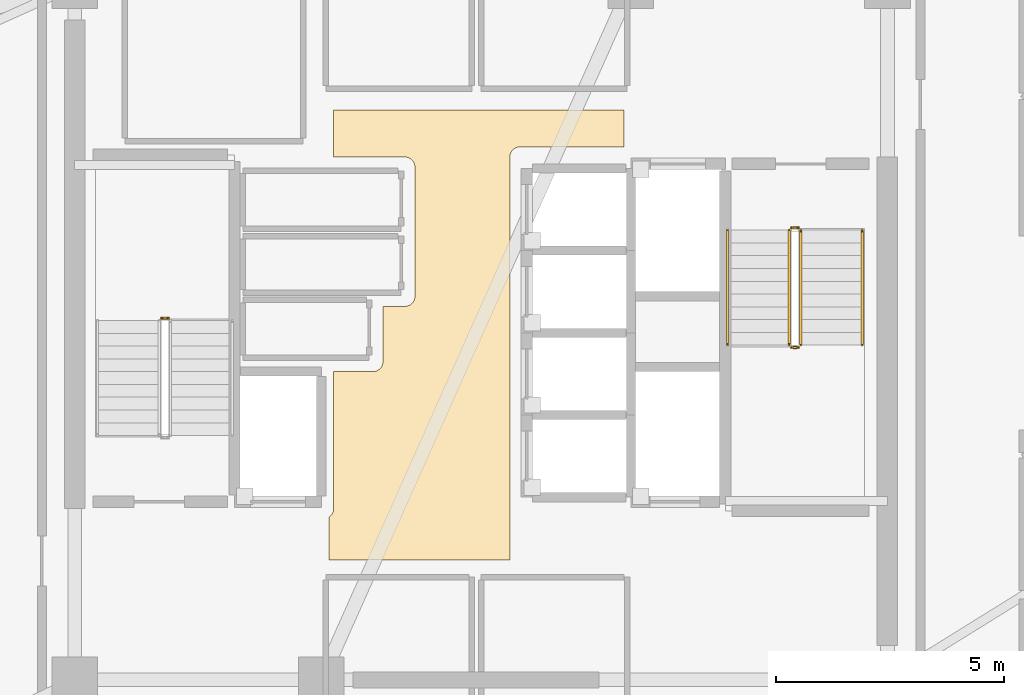
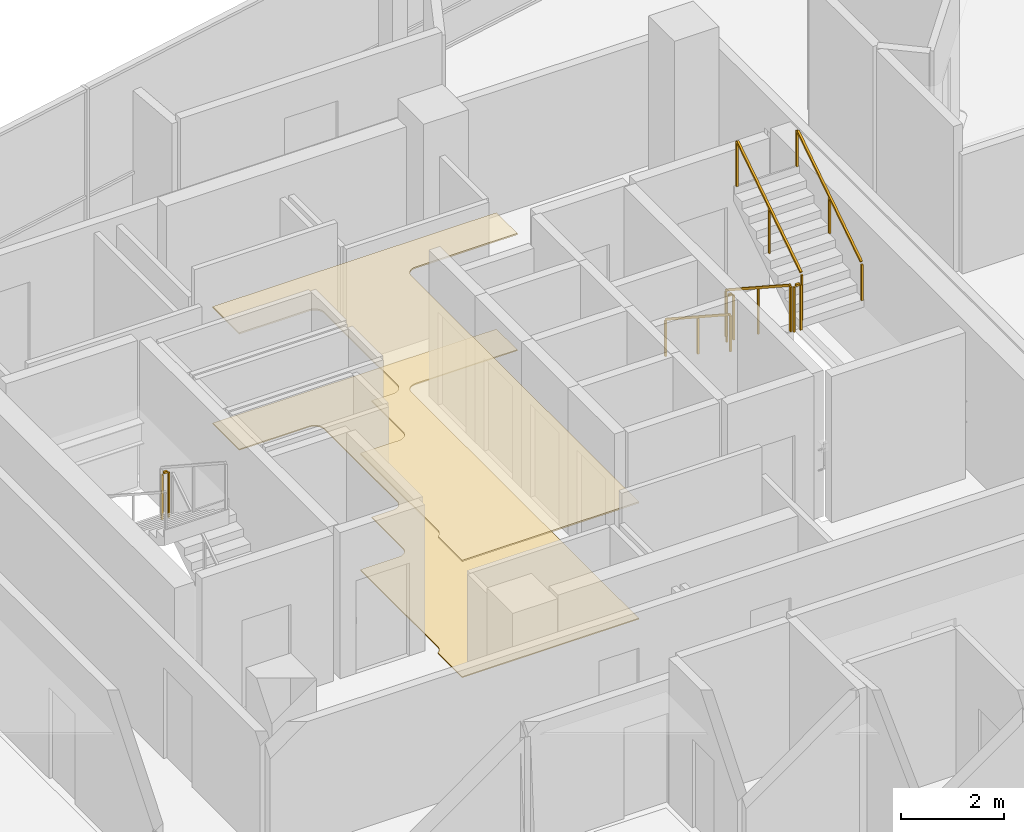
# One storey, part 17 of 18: 7 railings, 2 coverings.
"""IFC4 building model written with IfcOpenShell, lengths in metres."""

from ifc_helpers import new_model, si_unit, direction, frame, origin, origin_2d, place, context, subcontext, project, spatial, polyline, rectangle, outline, extrude, material, layer, layer_set, type_object, element, save


model = new_model("IFC4")

# Units and contexts
model_context = context("Model", 3, precision=1e-05, world=origin(), true_north=direction((0.0, 1.0)))
body_context = subcontext(model_context, "Body", "Model", "MODEL_VIEW")
ifc_project = project(units=[si_unit("LENGTHUNIT", "METRE"), si_unit("AREAUNIT", "SQUARE_METRE"), si_unit("VOLUMEUNIT", "CUBIC_METRE"), si_unit("PLANEANGLEUNIT", "RADIAN"), si_unit("MASSUNIT", "GRAM", prefix="KILO")], contexts=[model_context])

# Site, building, storey
site_placement = place(None, origin())
site = spatial("IfcSite", under=ifc_project, at=site_placement, CompositionType="ELEMENT")
building_placement = place(site_placement, origin())
building = spatial("IfcBuilding", under=site, at=building_placement, Name="Tharavind Bronze Gate", CompositionType="ELEMENT")
storey_placement = place(building_placement, frame((0.0, 0.0, 287.050048828125)))
storey = spatial("IfcBuildingStorey", under=building, at=storey_placement, Name="L74", CompositionType="ELEMENT", Elevation=287.050048828125)

# Coverings
ifc_material_1 = material(Name="Perforated Bronze Acoustic Panel", Category="bronze")
ifc_layer_1 = layer(ifc_material_1, 0.044921875)
ifc_layer_set_1 = layer_set([ifc_layer_1], Name="Perforated Bronze Acoustic Panel")
covering_type_1 = type_object("IfcCoveringType", Name="ACOUSTIC BRONZE BAFFLE CEILING", PredefinedType="CEILING", material=ifc_layer_set_1)
covering_1_placement = place(storey_placement, frame((0.0, 0.0, 2.75)))
element("IfcCovering", 1, at=covering_1_placement, inside=storey, type_object=covering_type_1, Name="L74-C-LL suspended ceiling", PredefinedType="CEILING", context=body_context, shape_type="SweptSolid", body=[
    extrude(outline(polyline([(-3.330078125, -4.97998046875), (0.6298828125, -4.97998046875), (0.6298828125, 3.85009765625), (0.631103515625, 3.87158203125), (0.63427734375, 3.892822265625), (0.639404296875, 3.913818359375), (0.646728515625, 3.93408203125), (0.656005859375, 3.95361328125), (0.6669921875, 3.97216796875), (0.679931640625, 3.989501953125), (0.6943359375, 4.005615234375), (0.71044921875, 4.02001953125), (0.727783203125, 4.032958984375), (0.746337890625, 4.0439453125), (0.765869140625, 4.05322265625), (0.7861328125, 4.060546875), (0.80712890625, 4.06591796875), (0.828369140625, 4.06884765625), (0.85009765625, 4.070068359375), (3.1298828125, 4.070068359375), (3.1298828125, 4.8798828125), (-3.22998046875, 4.8798828125), (-3.22998046875, 3.85009765625), (-1.669921875, 3.85009765625), (-1.6484375, 3.848876953125), (-1.627197265625, 3.845703125), (-1.606201171875, 3.840576171875), (-1.585693359375, 3.833251953125), (-1.56640625, 3.823974609375), (-1.5478515625, 3.81298828125), (-1.530517578125, 3.800048828125), (-1.514404296875, 3.78564453125), (-1.5, 3.76953125), (-1.487060546875, 3.752197265625), (-1.47607421875, 3.733642578125), (-1.466796875, 3.714111328125), (-1.45947265625, 3.69384765625), (-1.4541015625, 3.6728515625), (-1.451171875, 3.651611328125), (-1.449951171875, 3.6298828125), (-1.449951171875, 0.800048828125), (-1.451171875, 0.7783203125), (-1.4541015625, 0.757080078125), (-1.45947265625, 0.736083984375), (-1.466796875, 0.7158203125), (-1.47607421875, 0.6962890625), (-1.487060546875, 0.677734375), (-1.5, 0.660400390625), (-1.514404296875, 0.644287109375), (-1.530517578125, 0.6298828125), (-1.5478515625, 0.6171875), (-1.56640625, 0.60595703125), (-1.585693359375, 0.5966796875), (-1.606201171875, 0.589599609375), (-1.627197265625, 0.584228515625), (-1.6484375, 0.5810546875), (-1.669921875, 0.580078125), (-2.14990234375, 0.580078125), (-2.14990234375, -0.6298828125), (-2.151123046875, -0.651611328125), (-2.154296875, -0.6728515625), (-2.159423828125, -0.69384765625), (-2.166748046875, -0.714111328125), (-2.176025390625, -0.733642578125), (-2.18701171875, -0.752197265625), (-2.199951171875, -0.76953125), (-2.21435546875, -0.78564453125), (-2.23046875, -0.800048828125), (-2.247802734375, -0.81298828125), (-2.266357421875, -0.823974609375), (-2.285888671875, -0.833251953125), (-2.30615234375, -0.840576171875), (-2.3271484375, -0.845703125), (-2.348388671875, -0.848876953125), (-2.3701171875, -0.85009765625), (-3.22998046875, -0.85009765625), (-3.22998046875, -3.85009765625), (-3.231201171875, -3.87158203125), (-3.234130859375, -3.892822265625), (-3.239501953125, -3.913818359375), (-3.24658203125, -3.93408203125), (-3.256103515625, -3.95361328125), (-3.26708984375, -3.97216796875), (-3.27978515625, -3.989501953125), (-3.29443359375, -4.005615234375), (-3.310302734375, -4.02001953125), (-3.327880859375, -4.032958984375), (-3.330078125, -4.0341796875), (-3.330078125, -4.97998046875)])), origin(), (0.0, 0.0, 1.0), 0.034912109375),
])
ifc_material_2 = material(Name="Honed Travertine Limestone", Category="masonry")
ifc_layer_2 = layer(ifc_material_2, 0.030029296875)
ifc_layer_set_2 = layer_set([ifc_layer_2], Name="Honed Travertine Limestone")
covering_type_2 = type_object("IfcCoveringType", Name="HONED LIMESTONE FLOORING", PredefinedType="FLOORING", material=ifc_layer_set_2)
covering_2_placement = place(storey_placement, origin())
element("IfcCovering", 2, at=covering_2_placement, inside=storey, type_object=covering_type_2, Name="L74-C-LL floor finish", PredefinedType="FLOORING", context=body_context, shape_type="SweptSolid", body=[
    extrude(outline(polyline([(-3.330078125, -4.97998046875), (0.6298828125, -4.97998046875), (0.6298828125, 3.85009765625), (0.631103515625, 3.87158203125), (0.63427734375, 3.892822265625), (0.639404296875, 3.913818359375), (0.646728515625, 3.93408203125), (0.656005859375, 3.95361328125), (0.6669921875, 3.97216796875), (0.679931640625, 3.989501953125), (0.6943359375, 4.005615234375), (0.71044921875, 4.02001953125), (0.727783203125, 4.032958984375), (0.746337890625, 4.0439453125), (0.765869140625, 4.05322265625), (0.7861328125, 4.060546875), (0.80712890625, 4.06591796875), (0.828369140625, 4.06884765625), (0.85009765625, 4.070068359375), (3.1298828125, 4.070068359375), (3.1298828125, 4.8798828125), (-3.22998046875, 4.8798828125), (-3.22998046875, 3.85009765625), (-1.669921875, 3.85009765625), (-1.6484375, 3.848876953125), (-1.627197265625, 3.845703125), (-1.606201171875, 3.840576171875), (-1.585693359375, 3.833251953125), (-1.56640625, 3.823974609375), (-1.5478515625, 3.81298828125), (-1.530517578125, 3.800048828125), (-1.514404296875, 3.78564453125), (-1.5, 3.76953125), (-1.487060546875, 3.752197265625), (-1.47607421875, 3.733642578125), (-1.466796875, 3.714111328125), (-1.45947265625, 3.69384765625), (-1.4541015625, 3.6728515625), (-1.451171875, 3.651611328125), (-1.449951171875, 3.6298828125), (-1.449951171875, 0.800048828125), (-1.451171875, 0.7783203125), (-1.4541015625, 0.757080078125), (-1.45947265625, 0.736083984375), (-1.466796875, 0.7158203125), (-1.47607421875, 0.6962890625), (-1.487060546875, 0.677734375), (-1.5, 0.660400390625), (-1.514404296875, 0.644287109375), (-1.530517578125, 0.6298828125), (-1.5478515625, 0.6171875), (-1.56640625, 0.60595703125), (-1.585693359375, 0.5966796875), (-1.606201171875, 0.589599609375), (-1.627197265625, 0.584228515625), (-1.6484375, 0.5810546875), (-1.669921875, 0.580078125), (-2.14990234375, 0.580078125), (-2.14990234375, -0.6298828125), (-2.151123046875, -0.651611328125), (-2.154296875, -0.6728515625), (-2.159423828125, -0.69384765625), (-2.166748046875, -0.714111328125), (-2.176025390625, -0.733642578125), (-2.18701171875, -0.752197265625), (-2.199951171875, -0.76953125), (-2.21435546875, -0.78564453125), (-2.23046875, -0.800048828125), (-2.247802734375, -0.81298828125), (-2.266357421875, -0.823974609375), (-2.285888671875, -0.833251953125), (-2.30615234375, -0.840576171875), (-2.3271484375, -0.845703125), (-2.348388671875, -0.848876953125), (-2.3701171875, -0.85009765625), (-3.22998046875, -0.85009765625), (-3.22998046875, -3.85009765625), (-3.231201171875, -3.87158203125), (-3.234130859375, -3.892822265625), (-3.239501953125, -3.913818359375), (-3.24658203125, -3.93408203125), (-3.256103515625, -3.95361328125), (-3.26708984375, -3.97216796875), (-3.27978515625, -3.989501953125), (-3.29443359375, -4.005615234375), (-3.310302734375, -4.02001953125), (-3.327880859375, -4.032958984375), (-3.330078125, -4.0341796875), (-3.330078125, -4.97998046875)])), origin(), (0.0, 0.0, 1.0), 0.02490234375),
])

# Railings
ifc_material_3 = material(Name="Brushed Bronze Alloy", Category="metal")
railing_type_1 = type_object("IfcRailingType", Name="STAIR BRONZE HANDRAIL 900", PredefinedType="HANDRAIL", material=ifc_material_3)
railing_1_placement = place(storey_placement, frame((5.39990234375, 2.25, 0.182373046875)))
element("IfcRailing", 3, at=railing_1_placement, inside=storey, type_object=railing_type_1, Name="L74 ST2 stair handrail 1", PredefinedType="HANDRAIL", context=body_context, shape_type="SweptSolid", body=[
    extrude(rectangle(XDim=0.048095703125, YDim=0.048095703125, at=origin_2d()), frame((0.0, -0.02685546875, 0.893310546875), z_axis=(0.0, -0.837749427056, 0.546054848405), x_axis=(1.0, 0.0, 0.0)), (0.0, 0.0, 1.0), 2.944091796875),
    extrude(rectangle(XDim=0.0400390625, YDim=0.0400390625, at=origin_2d()), origin(), (0.0, 0.0, 1.0), 0.847900390625),
    extrude(rectangle(XDim=0.0400390625, YDim=0.0400390625, at=origin_2d()), frame((0.0, -1.260009765625, 0.8212890625)), (0.0, 0.0, 1.0), 0.847900390625),
    extrude(rectangle(XDim=0.0400390625, YDim=0.0400390625, at=origin_2d()), frame((0.0, -2.52001953125, 1.642578125)), (0.0, 0.0, 1.0), 0.847900390625),
])
railing_2_placement = place(storey_placement, frame((8.35009765625, -0.27001953125, 2.007568359375)))
element("IfcRailing", 4, at=railing_2_placement, inside=storey, type_object=railing_type_1, Name="L74 ST2 stair handrail 2", PredefinedType="HANDRAIL", context=body_context, shape_type="SweptSolid", body=[
    extrude(rectangle(XDim=0.048095703125, YDim=0.048095703125, at=origin_2d()), frame((0.0, 0.02685546875, 0.893310546875), z_axis=(0.0, 0.837786554691, 0.545997883492), x_axis=(-1.0, 0.0, 0.0)), (0.0, 0.0, 1.0), 2.94384765625),
    extrude(rectangle(XDim=0.0400390625, YDim=0.0400390625, at=origin_2d()), origin(), (0.0, 0.0, 1.0), 0.847900390625),
    extrude(rectangle(XDim=0.0400390625, YDim=0.0400390625, at=origin_2d()), frame((0.0, 1.260009765625, 0.8212890625)), (0.0, 0.0, 1.0), 0.847900390625),
    extrude(rectangle(XDim=0.0400390625, YDim=0.0400390625, at=origin_2d()), frame((0.0, 2.52001953125, 1.642333984375)), (0.0, 0.0, 1.0), 0.847900390625),
])
railing_type_2 = type_object("IfcRailingType", Name="STAIR WELL GUARD RAILING 1120", PredefinedType="GUARDRAIL", material=ifc_material_3)
railing_3_placement = place(storey_placement, frame((-6.85009765625, 0.320068359375, 1.824951171875)))
element("IfcRailing", 5, at=railing_3_placement, inside=storey, type_object=railing_type_2, Name="L74 ST1 stair guard 2", PredefinedType="GUARDRAIL", context=body_context, shape_type="SweptSolid", body=[
    extrude(rectangle(XDim=0.048095703125, YDim=0.048095703125, at=origin_2d()), frame((-0.031982421875, 0.0, 1.09619140625), z_axis=(-1.0, 0.0, 0.0), x_axis=(0.0, -1.0, 0.0)), (0.0, 0.0, 1.0), 0.0859375),
    extrude(rectangle(XDim=0.0400390625, YDim=0.0400390625, at=origin_2d()), origin(), (0.0, 0.0, 1.0), 1.068115234375),
    extrude(rectangle(XDim=0.0400390625, YDim=0.0400390625, at=origin_2d()), frame((-0.14990234375, 0.0, 0.0)), (0.0, 0.0, 1.0), 1.068115234375),
])
railing_4_placement = place(storey_placement, frame((6.75, 2.25, 0.182373046875)))
element("IfcRailing", 6, at=railing_4_placement, inside=storey, type_object=railing_type_2, Name="L74 ST2 stair guard 1", PredefinedType="GUARDRAIL", context=body_context, shape_type="SweptSolid", body=[
    extrude(rectangle(XDim=0.048095703125, YDim=0.048095703125, at=origin_2d()), frame((0.0, -0.02685546875, 1.113525390625), z_axis=(0.0, -0.837749427056, 0.546054848405), x_axis=(1.0, 0.0, 0.0)), (0.0, 0.0, 1.0), 2.944091796875),
    extrude(rectangle(XDim=0.0400390625, YDim=0.0400390625, at=origin_2d()), origin(), (0.0, 0.0, 1.0), 1.068115234375),
    extrude(rectangle(XDim=0.0400390625, YDim=0.0400390625, at=origin_2d()), frame((0.0, -1.260009765625, 0.8212890625)), (0.0, 0.0, 1.0), 1.068115234375),
    extrude(rectangle(XDim=0.0400390625, YDim=0.0400390625, at=origin_2d()), frame((0.0, -2.52001953125, 1.642578125)), (0.0, 0.0, 1.0), 1.068115234375),
])
railing_5_placement = place(storey_placement, frame((6.800048828125, -0.320068359375, 1.824951171875)))
element("IfcRailing", 7, at=railing_5_placement, inside=storey, type_object=railing_type_2, Name="L74 ST2 stair guard 2", PredefinedType="GUARDRAIL", context=body_context, shape_type="SweptSolid", body=[
    extrude(rectangle(XDim=0.048095703125, YDim=0.048095703125, at=origin_2d()), frame((0.031982421875, 0.0, 1.09619140625), z_axis=(1.0, 0.0, 0.0), x_axis=(0.0, 1.0, 0.0)), (0.0, 0.0, 1.0), 0.0859375),
    extrude(rectangle(XDim=0.0400390625, YDim=0.0400390625, at=origin_2d()), origin(), (0.0, 0.0, 1.0), 1.068115234375),
    extrude(rectangle(XDim=0.0400390625, YDim=0.0400390625, at=origin_2d()), frame((0.14990234375, 0.0, 0.0)), (0.0, 0.0, 1.0), 1.068115234375),
])
railing_6_placement = place(storey_placement, frame((7.0, -0.27001953125, 2.007568359375)))
element("IfcRailing", 8, at=railing_6_placement, inside=storey, type_object=railing_type_2, Name="L74 ST2 stair guard 3", PredefinedType="GUARDRAIL", context=body_context, shape_type="SweptSolid", body=[
    extrude(rectangle(XDim=0.048095703125, YDim=0.048095703125, at=origin_2d()), frame((0.0, 0.02685546875, 1.113525390625), z_axis=(0.0, 0.837786554691, 0.545997883492), x_axis=(-1.0, 0.0, 0.0)), (0.0, 0.0, 1.0), 2.94384765625),
    extrude(rectangle(XDim=0.0400390625, YDim=0.0400390625, at=origin_2d()), origin(), (0.0, 0.0, 1.0), 1.068115234375),
    extrude(rectangle(XDim=0.0400390625, YDim=0.0400390625, at=origin_2d()), frame((0.0, 1.260009765625, 0.8212890625)), (0.0, 0.0, 1.0), 1.068115234375),
    extrude(rectangle(XDim=0.0400390625, YDim=0.0400390625, at=origin_2d()), frame((0.0, 2.52001953125, 1.642333984375)), (0.0, 0.0, 1.0), 1.068115234375),
])
railing_7_placement = place(storey_placement, frame((6.800048828125, 2.300048828125, 0.0)))
element("IfcRailing", 9, at=railing_7_placement, inside=storey, type_object=railing_type_2, Name="L74 ST2 stair guard 4", PredefinedType="GUARDRAIL", context=body_context, shape_type="SweptSolid", body=[
    extrude(rectangle(XDim=0.048095703125, YDim=0.048095703125, at=origin_2d()), frame((0.031982421875, 0.0, 1.09619140625), z_axis=(1.0, 0.0, 0.0), x_axis=(0.0, 1.0, 0.0)), (0.0, 0.0, 1.0), 0.0859375),
    extrude(rectangle(XDim=0.0400390625, YDim=0.0400390625, at=origin_2d()), origin(), (0.0, 0.0, 1.0), 1.068115234375),
    extrude(rectangle(XDim=0.0400390625, YDim=0.0400390625, at=origin_2d()), frame((0.14990234375, 0.0, 0.0)), (0.0, 0.0, 1.0), 1.068115234375),
])

save(model, "model.ifc")
